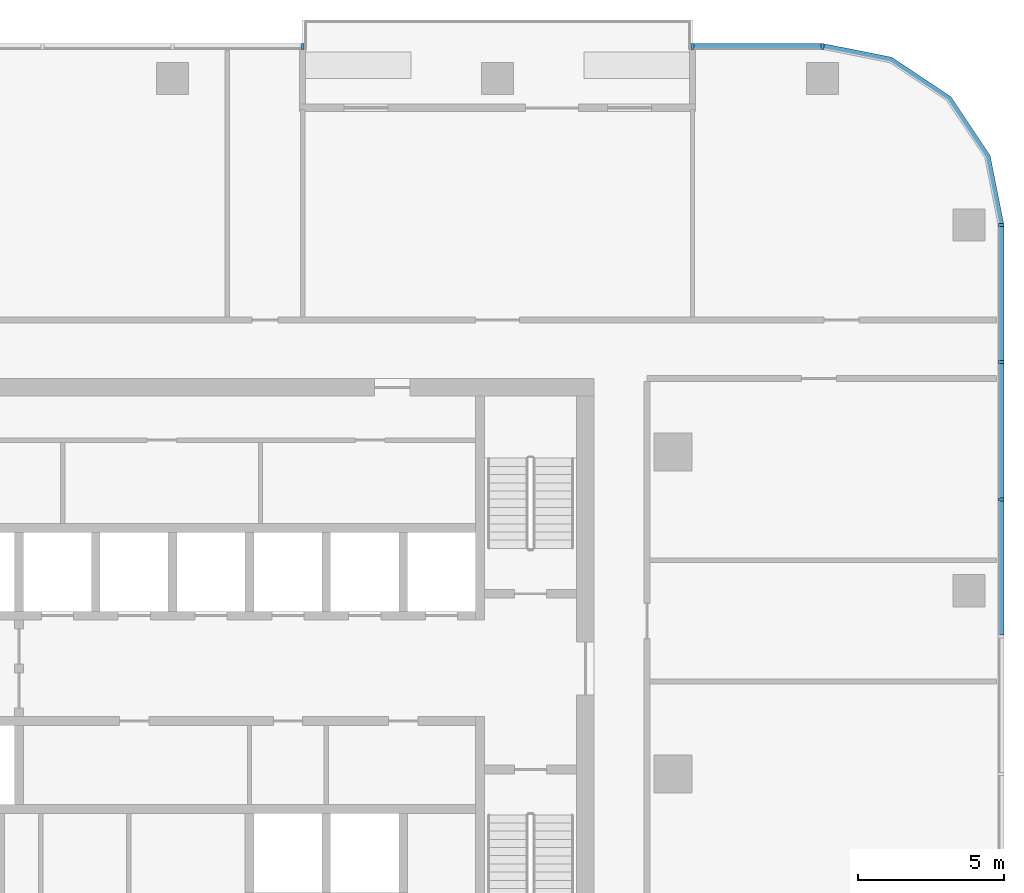
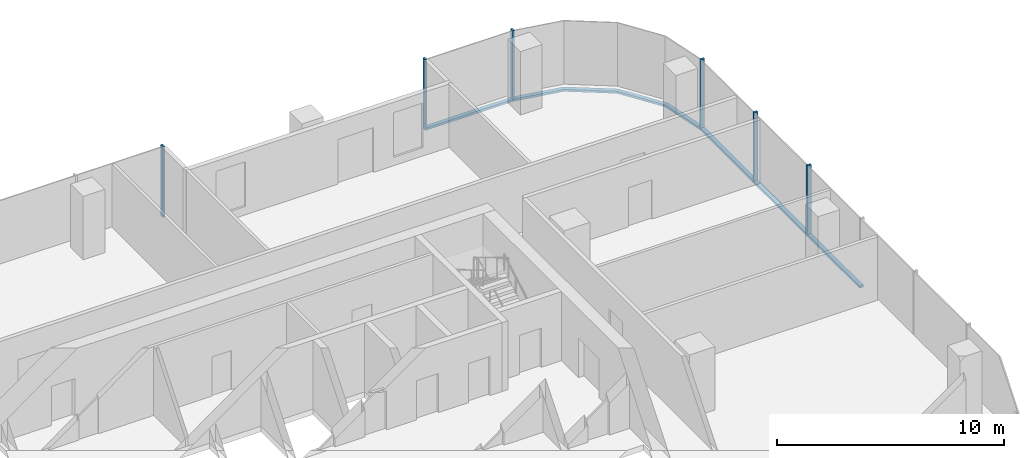
# One storey, part 5 of 14: 11 members, 4 elements without a shape of their own.
"""IFC4 building model written with IfcOpenShell, lengths in metres."""

from ifc_helpers import new_model, si_unit, direction, frame, origin, origin_2d, place, context, subcontext, project, spatial, polyline, rectangle, outline, extrude, material, material_profile, profile_set, type_object, element, aggregate, save


model = new_model("IFC4")

# Units and contexts
model_context = context("Model", 3, precision=1e-05, world=origin(), true_north=direction((0.0, 1.0)))
body_context = subcontext(model_context, "Body", "Model", "MODEL_VIEW")
ifc_project = project(units=[si_unit("LENGTHUNIT", "METRE"), si_unit("AREAUNIT", "SQUARE_METRE"), si_unit("VOLUMEUNIT", "CUBIC_METRE"), si_unit("PLANEANGLEUNIT", "RADIAN"), si_unit("MASSUNIT", "GRAM", prefix="KILO")], contexts=[model_context])

# Site, building, storey
site_placement = place(None, origin())
site = spatial("IfcSite", under=ifc_project, at=site_placement, CompositionType="ELEMENT")
building_placement = place(site_placement, origin())
building = spatial("IfcBuilding", under=site, at=building_placement, Name="Mopane Tessera Tower", CompositionType="ELEMENT")
storey_placement = place(building_placement, frame((0.0, 0.0, 255.0)))
storey = spatial("IfcBuildingStorey", under=building, at=storey_placement, Name="L55", CompositionType="ELEMENT", Elevation=255.0)

# Curtain wall, members
ifc_material_1 = material(Name="Aluminium frame", Category="aluminium")
curtain_wall_type = type_object("IfcCurtainWallType", Name="Unitised curtain wall", PredefinedType="NOTDEFINED", material=ifc_material_1)
curtain_wall_1_placement = place(storey_placement, origin())
curtain_wall_1 = element("IfcCurtainWall", 1, at=curtain_wall_1_placement, inside=storey, type_object=curtain_wall_type, Name="e:cw:L55:E:0", PredefinedType="NOTDEFINED")
ifc_material_2 = material(Name="Aluminium frame", Category="aluminium")
ifc_material_profile_1 = material_profile(ifc_material_2, rectangle(XDim=0.10009765625, YDim=0.199951171875, at=origin_2d()))
ifc_profile_set_1 = profile_set([ifc_material_profile_1], Name="Aluminium frame")
member_type_1 = type_object("IfcMemberType", Name="Aluminium mullion 100 x 200", PredefinedType="MULLION", material=ifc_profile_set_1)
member_1_placement = place(storey_placement, frame((28.300048828125, 9.375, -0.39990234375), z_axis=(0.0, 0.0, 1.0), x_axis=(0.0, 1.0, 0.0)))
member_1 = element("IfcMember", 2, at=member_1_placement, type_object=member_type_1, Name="e:cw:L55:E:0:mu6", PredefinedType="MULLION", context=body_context, shape_type="SweptSolid", body=[
    extrude(rectangle(XDim=0.10009765625, YDim=0.199951171875, at=origin_2d()), origin(), (0.0, 0.0, 1.0), 3.7998046875),
])
member_2_placement = place(storey_placement, frame((28.300048828125, 14.0625, -0.39990234375), z_axis=(0.0, 0.0, 1.0), x_axis=(0.0, 1.0, 0.0)))
member_2 = element("IfcMember", 3, at=member_2_placement, type_object=member_type_1, Name="e:cw:L55:E:0:mu7", PredefinedType="MULLION", context=body_context, shape_type="SweptSolid", body=[
    extrude(rectangle(XDim=0.10009765625, YDim=0.199951171875, at=origin_2d()), origin(), (0.0, 0.0, 1.0), 3.7998046875),
])
member_3_placement = place(storey_placement, frame((28.300048828125, 18.75, -0.39990234375), z_axis=(0.0, 0.0, 1.0), x_axis=(0.0, 1.0, 0.0)))
member_3 = element("IfcMember", 4, at=member_3_placement, type_object=member_type_1, Name="e:cw:L55:E:0:mu8", PredefinedType="MULLION", context=body_context, shape_type="SweptSolid", body=[
    extrude(rectangle(XDim=0.10009765625, YDim=0.199951171875, at=origin_2d()), origin(), (0.0, 0.0, 1.0), 3.7998046875),
])

curtain_wall_2_placement = place(storey_placement, origin())
curtain_wall_2 = element("IfcCurtainWall", 5, at=curtain_wall_2_placement, inside=storey, type_object=curtain_wall_type, Name="e:cw:L55:N:0", PredefinedType="NOTDEFINED")
member_4_placement = place(storey_placement, frame((22.199951171875, 24.85009765625, -0.39990234375), z_axis=(0.0, 0.0, 1.0), x_axis=(-1.0, 0.0, 0.0)))
member_4 = element("IfcMember", 6, at=member_4_placement, type_object=member_type_1, Name="e:cw:L55:N:0:mu0", PredefinedType="MULLION", context=body_context, shape_type="SweptSolid", body=[
    extrude(rectangle(XDim=0.10009765625, YDim=0.199951171875, at=origin_2d()), origin(), (0.0, 0.0, 1.0), 3.7998046875),
])
member_5_placement = place(storey_placement, frame((17.760009765625, 24.85009765625, -0.39990234375), z_axis=(0.0, 0.0, 1.0), x_axis=(-1.0, 0.0, 0.0)))
member_5 = element("IfcMember", 7, at=member_5_placement, type_object=member_type_1, Name="e:cw:L55:N:0:mu1", PredefinedType="MULLION", context=body_context, shape_type="SweptSolid", body=[
    extrude(rectangle(XDim=0.10009765625, YDim=0.199951171875, at=origin_2d()), origin(), (0.0, 0.0, 1.0), 3.7998046875),
])

# Curtain wall, member
curtain_wall_3_placement = place(storey_placement, origin())
curtain_wall_3 = element("IfcCurtainWall", 8, at=curtain_wall_3_placement, inside=storey, type_object=curtain_wall_type, Name="e:cw:L55:N:4", PredefinedType="NOTDEFINED")
member_6_placement = place(storey_placement, frame((4.43994140625, 24.85009765625, -0.39990234375), z_axis=(0.0, 0.0, 1.0), x_axis=(-1.0, 0.0, 0.0)))
member_6 = element("IfcMember", 9, at=member_6_placement, type_object=member_type_1, Name="e:cw:L55:N:4:mu4", PredefinedType="MULLION", context=body_context, shape_type="SweptSolid", body=[
    extrude(rectangle(XDim=0.10009765625, YDim=0.199951171875, at=origin_2d()), origin(), (0.0, 0.0, 1.0), 3.7998046875),
])
aggregate(curtain_wall_3, [member_6])

# Member
ifc_material_3 = material(Name="Aluminium frame", Category="aluminium")
ifc_material_profile_2 = material_profile(ifc_material_3, rectangle(XDim=0.199951171875, YDim=0.1201171875, at=origin_2d()))
ifc_profile_set_2 = profile_set([ifc_material_profile_2], Name="Aluminium frame")
member_type_2 = type_object("IfcMemberType", Name="Aluminium transom 200 x 120", PredefinedType="USERDEFINED", material=ifc_profile_set_2)
member_7_placement = place(storey_placement, frame((28.300048828125, 4.737548828125, -0.340087890625), z_axis=(0.0, 1.0, 0.0), x_axis=(-1.0, 0.0, 0.0)))
member_7 = element("IfcMember", 10, at=member_7_placement, type_object=member_type_2, Name="e:cw:L55:E:0:tr5", ObjectType="TRANSOM", PredefinedType="USERDEFINED", context=body_context, shape_type="SweptSolid", body=[
    extrude(rectangle(XDim=0.199951171875, YDim=0.1201171875, at=origin_2d()), origin(), (0.0, 0.0, 1.0), 4.58740234375),
])

member_8_placement = place(storey_placement, frame((28.300048828125, 9.425048828125, -0.340087890625), z_axis=(0.0, 1.0, 0.0), x_axis=(-1.0, 0.0, 0.0)))
member_8 = element("IfcMember", 11, at=member_8_placement, type_object=member_type_2, Name="e:cw:L55:E:0:tr6", ObjectType="TRANSOM", PredefinedType="USERDEFINED", context=body_context, shape_type="SweptSolid", body=[
    extrude(rectangle(XDim=0.199951171875, YDim=0.1201171875, at=origin_2d()), origin(), (0.0, 0.0, 1.0), 4.58740234375),
])

member_9_placement = place(storey_placement, frame((28.300048828125, 14.112548828125, -0.340087890625), z_axis=(0.0, 1.0, 0.0), x_axis=(-1.0, 0.0, 0.0)))
member_9 = element("IfcMember", 12, at=member_9_placement, type_object=member_type_2, Name="e:cw:L55:E:0:tr7", ObjectType="TRANSOM", PredefinedType="USERDEFINED", context=body_context, shape_type="SweptSolid", body=[
    extrude(rectangle(XDim=0.199951171875, YDim=0.1201171875, at=origin_2d()), origin(), (0.0, 0.0, 1.0), 4.58740234375),
])

aggregate(curtain_wall_1, [member_1, member_2, member_3, member_7, member_8, member_9])

# Curtain wall, member
curtain_wall_4_placement = place(storey_placement, origin())
curtain_wall_4 = element("IfcCurtainWall", 13, at=curtain_wall_4_placement, inside=storey, type_object=curtain_wall_type, Name="e:cw:L55:CE", PredefinedType="NOTDEFINED")
member_10_placement = place(storey_placement, frame((0.0, 0.0, -0.39990234375)))
member_10 = element("IfcMember", 14, at=member_10_placement, type_object=member_type_2, Name="e:cw:L55:CE:tr", ObjectType="TRANSOM", PredefinedType="USERDEFINED", context=body_context, shape_type="SweptSolid", body=[
    extrude(outline(polyline([(28.199951171875, 18.75), (27.7431640625, 21.046142578125), (26.442626953125, 22.99267578125), (24.49609375, 24.293212890625), (22.199951171875, 24.75), (22.199951171875, 24.949951171875), (24.57275390625, 24.47802734375), (26.583984375, 23.134033203125), (27.927978515625, 21.12255859375), (28.39990234375, 18.75), (28.199951171875, 18.75)])), origin(), (0.0, 0.0, 1.0), 0.119873046875),
])
aggregate(curtain_wall_4, [member_10])

# Member
member_11_placement = place(storey_placement, frame((22.14990234375, 24.85009765625, -0.340087890625), z_axis=(-1.0, 0.0, 0.0), x_axis=(0.0, -1.0, 0.0)))
member_11 = element("IfcMember", 15, at=member_11_placement, type_object=member_type_2, Name="e:cw:L55:N:0:tr0", ObjectType="TRANSOM", PredefinedType="USERDEFINED", context=body_context, shape_type="SweptSolid", body=[
    extrude(rectangle(XDim=0.199951171875, YDim=0.1201171875, at=origin_2d()), origin(), (0.0, 0.0, 1.0), 4.33984375),
])

aggregate(curtain_wall_2, [member_4, member_5, member_11])

save(model, "model.ifc")
